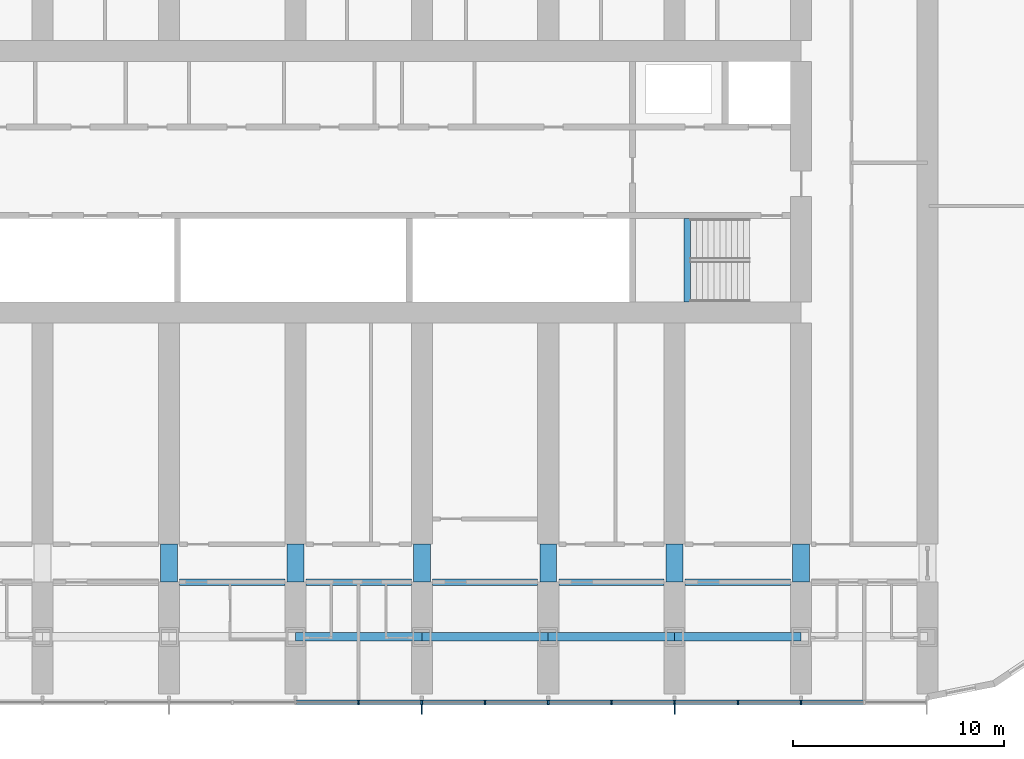
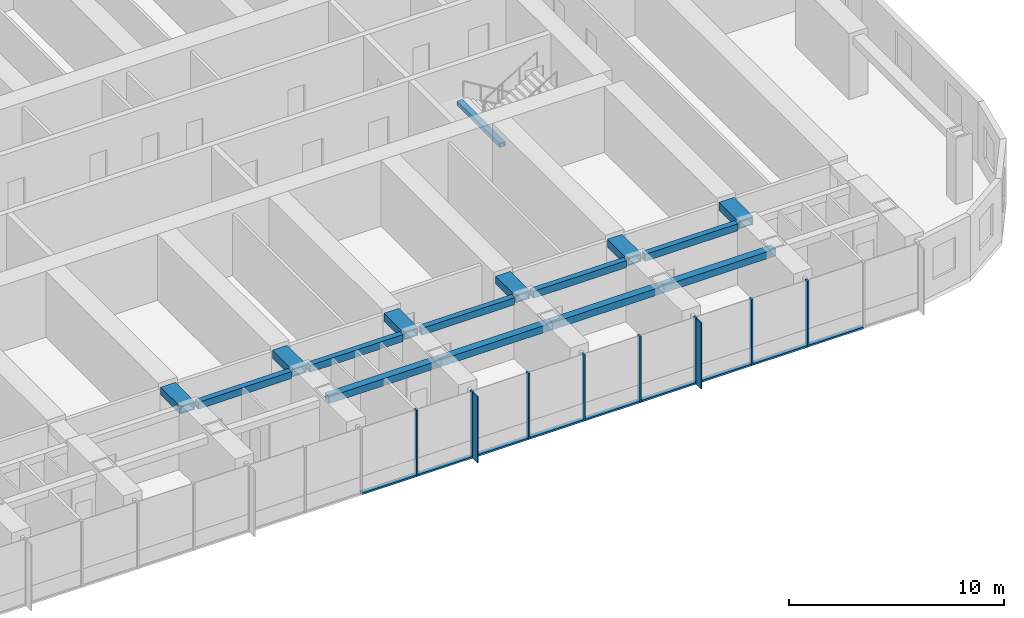
# One storey, part 3 of 23: 19 members, 16 beams, 1 element without a shape of its own.
"""IFC4 building model written with IfcOpenShell, lengths in metres."""

from ifc_helpers import new_model, si_unit, direction, frame, origin, origin_2d, place, context, subcontext, project, spatial, rectangle, hollow_rectangle, extrude, material, material_profile, profile_set, type_object, element, aggregate, save


model = new_model("IFC4")

# Units and contexts
model_context = context("Model", 3, precision=1e-05, world=origin(), true_north=direction((0.0, 1.0)))
body_context = subcontext(model_context, "Body", "Model", "MODEL_VIEW")
ifc_project = project(units=[si_unit("LENGTHUNIT", "METRE"), si_unit("AREAUNIT", "SQUARE_METRE"), si_unit("VOLUMEUNIT", "CUBIC_METRE"), si_unit("PLANEANGLEUNIT", "RADIAN"), si_unit("MASSUNIT", "GRAM", prefix="KILO")], contexts=[model_context])

# Site, building, storey
site_placement = place(None, origin())
site = spatial("IfcSite", under=ifc_project, at=site_placement, CompositionType="ELEMENT")
building_placement = place(site_placement, origin())
building = spatial("IfcBuilding", under=site, at=building_placement, Name="Orbita Commons", CompositionType="ELEMENT")
storey_placement = place(building_placement, frame((0.0, 0.0, 61.449951171875)))
storey = spatial("IfcBuildingStorey", under=building, at=storey_placement, Name="L15", CompositionType="ELEMENT", Elevation=61.449951171875)

# Curtain wall, members
ifc_material_1 = material(Name="Anodised aluminium frame, pale silver", Category="aluminium")
curtain_wall_type = type_object("IfcCurtainWallType", Name="Unitised curtain wall CW-T, vision and spandrel", PredefinedType="NOTDEFINED", material=ifc_material_1)
curtain_wall_placement = place(storey_placement, origin())
curtain_wall = element("IfcCurtainWall", 1, at=curtain_wall_placement, inside=storey, type_object=curtain_wall_type, Name="Curtain wall south L15", PredefinedType="NOTDEFINED")
ifc_material_2 = material(Name="Anodised aluminium, pale silver", Category="aluminium")
ifc_material_profile_1 = material_profile(ifc_material_2, rectangle(XDim=0.080078125, YDim=0.219970703125, at=origin_2d()), Name="AL 80x220")
ifc_profile_set_1 = profile_set([ifc_material_profile_1], Name="Anodised aluminium, pale silver")
member_type_1 = type_object("IfcMemberType", Name="Curtain wall mullion 80x220", PredefinedType="MULLION", material=ifc_profile_set_1)
member_1_placement = place(storey_placement, frame((45.0, 7.2900390625, -0.25), z_axis=(0.0, 0.0, 1.0), x_axis=(1.0, 0.0, 0.0)))
member_1 = element("IfcMember", 2, at=member_1_placement, type_object=member_type_1, Name="Mullion 12 CW-L15-S", PredefinedType="MULLION", context=body_context, shape_type="SweptSolid", body=[
    extrude(rectangle(XDim=0.080078125, YDim=0.219970703125, at=origin_2d()), origin(), (0.0, 0.0, 1.0), 3.75),
])
member_2_placement = place(storey_placement, frame((48.0, 7.2900390625, -0.25), z_axis=(0.0, 0.0, 1.0), x_axis=(1.0, 0.0, 0.0)))
member_2 = element("IfcMember", 3, at=member_2_placement, type_object=member_type_1, Name="Mullion 13 CW-L15-S", PredefinedType="MULLION", context=body_context, shape_type="SweptSolid", body=[
    extrude(rectangle(XDim=0.080078125, YDim=0.219970703125, at=origin_2d()), origin(), (0.0, 0.0, 1.0), 3.75),
])
member_3_placement = place(storey_placement, frame((51.0, 7.2900390625, -0.25), z_axis=(0.0, 0.0, 1.0), x_axis=(1.0, 0.0, 0.0)))
member_3 = element("IfcMember", 4, at=member_3_placement, type_object=member_type_1, Name="Mullion 14 CW-L15-S", PredefinedType="MULLION", context=body_context, shape_type="SweptSolid", body=[
    extrude(rectangle(XDim=0.080078125, YDim=0.219970703125, at=origin_2d()), origin(), (0.0, 0.0, 1.0), 3.75),
])
member_4_placement = place(storey_placement, frame((54.0, 7.2900390625, -0.25), z_axis=(0.0, 0.0, 1.0), x_axis=(1.0, 0.0, 0.0)))
member_4 = element("IfcMember", 5, at=member_4_placement, type_object=member_type_1, Name="Mullion 15 CW-L15-S", PredefinedType="MULLION", context=body_context, shape_type="SweptSolid", body=[
    extrude(rectangle(XDim=0.080078125, YDim=0.219970703125, at=origin_2d()), origin(), (0.0, 0.0, 1.0), 3.75),
])
member_5_placement = place(storey_placement, frame((57.0, 7.2900390625, -0.25), z_axis=(0.0, 0.0, 1.0), x_axis=(1.0, 0.0, 0.0)))
member_5 = element("IfcMember", 6, at=member_5_placement, type_object=member_type_1, Name="Mullion 16 CW-L15-S", PredefinedType="MULLION", context=body_context, shape_type="SweptSolid", body=[
    extrude(rectangle(XDim=0.080078125, YDim=0.219970703125, at=origin_2d()), origin(), (0.0, 0.0, 1.0), 3.75),
])
member_6_placement = place(storey_placement, frame((60.0, 7.2900390625, -0.25), z_axis=(0.0, 0.0, 1.0), x_axis=(1.0, 0.0, 0.0)))
member_6 = element("IfcMember", 7, at=member_6_placement, type_object=member_type_1, Name="Mullion 17 CW-L15-S", PredefinedType="MULLION", context=body_context, shape_type="SweptSolid", body=[
    extrude(rectangle(XDim=0.080078125, YDim=0.219970703125, at=origin_2d()), origin(), (0.0, 0.0, 1.0), 3.75),
])
member_7_placement = place(storey_placement, frame((63.0, 7.2900390625, -0.25), z_axis=(0.0, 0.0, 1.0), x_axis=(1.0, 0.0, 0.0)))
member_7 = element("IfcMember", 8, at=member_7_placement, type_object=member_type_1, Name="Mullion 18 CW-L15-S", PredefinedType="MULLION", context=body_context, shape_type="SweptSolid", body=[
    extrude(rectangle(XDim=0.080078125, YDim=0.219970703125, at=origin_2d()), origin(), (0.0, 0.0, 1.0), 3.75),
])
member_8_placement = place(storey_placement, frame((66.0, 7.2900390625, -0.25), z_axis=(0.0, 0.0, 1.0), x_axis=(1.0, 0.0, 0.0)))
member_8 = element("IfcMember", 9, at=member_8_placement, type_object=member_type_1, Name="Mullion 19 CW-L15-S", PredefinedType="MULLION", context=body_context, shape_type="SweptSolid", body=[
    extrude(rectangle(XDim=0.080078125, YDim=0.219970703125, at=origin_2d()), origin(), (0.0, 0.0, 1.0), 3.75),
])
ifc_material_3 = material(Name="Anodised aluminium, pale silver", Category="aluminium")
ifc_material_profile_2 = material_profile(ifc_material_3, rectangle(XDim=0.219970703125, YDim=0.10009765625, at=origin_2d()), Name="AL 220x100")
ifc_profile_set_2 = profile_set([ifc_material_profile_2], Name="Anodised aluminium, pale silver")
member_type_2 = type_object("IfcMemberType", Name="Curtain wall stack transom 220x100", PredefinedType="USERDEFINED", material=ifc_profile_set_2)
member_9_placement = place(storey_placement, frame((42.0400390625, 7.2900390625, -0.199951171875), z_axis=(1.0, 0.0, 0.0), x_axis=(0.0, 1.0, 0.0)))
member_9 = element("IfcMember", 10, at=member_9_placement, type_object=member_type_2, Name="Transom 11.1 CW-L15-S", ObjectType="TRANSOM", PredefinedType="USERDEFINED", context=body_context, shape_type="SweptSolid", body=[
    extrude(rectangle(XDim=0.219970703125, YDim=0.10009765625, at=origin_2d()), origin(), (0.0, 0.0, 1.0), 2.919921875),
])
member_10_placement = place(storey_placement, frame((45.0400390625, 7.2900390625, -0.199951171875), z_axis=(1.0, 0.0, 0.0), x_axis=(0.0, 1.0, 0.0)))
member_10 = element("IfcMember", 11, at=member_10_placement, type_object=member_type_2, Name="Transom 12.1 CW-L15-S", ObjectType="TRANSOM", PredefinedType="USERDEFINED", context=body_context, shape_type="SweptSolid", body=[
    extrude(rectangle(XDim=0.219970703125, YDim=0.10009765625, at=origin_2d()), origin(), (0.0, 0.0, 1.0), 2.919921875),
])
member_11_placement = place(storey_placement, frame((48.0400390625, 7.2900390625, -0.199951171875), z_axis=(1.0, 0.0, 0.0), x_axis=(0.0, 1.0, 0.0)))
member_11 = element("IfcMember", 12, at=member_11_placement, type_object=member_type_2, Name="Transom 13.1 CW-L15-S", ObjectType="TRANSOM", PredefinedType="USERDEFINED", context=body_context, shape_type="SweptSolid", body=[
    extrude(rectangle(XDim=0.219970703125, YDim=0.10009765625, at=origin_2d()), origin(), (0.0, 0.0, 1.0), 2.919921875),
])
member_12_placement = place(storey_placement, frame((51.0400390625, 7.2900390625, -0.199951171875), z_axis=(1.0, 0.0, 0.0), x_axis=(0.0, 1.0, 0.0)))
member_12 = element("IfcMember", 13, at=member_12_placement, type_object=member_type_2, Name="Transom 14.1 CW-L15-S", ObjectType="TRANSOM", PredefinedType="USERDEFINED", context=body_context, shape_type="SweptSolid", body=[
    extrude(rectangle(XDim=0.219970703125, YDim=0.10009765625, at=origin_2d()), origin(), (0.0, 0.0, 1.0), 2.919921875),
])
member_13_placement = place(storey_placement, frame((54.0400390625, 7.2900390625, -0.199951171875), z_axis=(1.0, 0.0, 0.0), x_axis=(0.0, 1.0, 0.0)))
member_13 = element("IfcMember", 14, at=member_13_placement, type_object=member_type_2, Name="Transom 15.1 CW-L15-S", ObjectType="TRANSOM", PredefinedType="USERDEFINED", context=body_context, shape_type="SweptSolid", body=[
    extrude(rectangle(XDim=0.219970703125, YDim=0.10009765625, at=origin_2d()), origin(), (0.0, 0.0, 1.0), 2.919921875),
])
member_14_placement = place(storey_placement, frame((57.0400390625, 7.2900390625, -0.199951171875), z_axis=(1.0, 0.0, 0.0), x_axis=(0.0, 1.0, 0.0)))
member_14 = element("IfcMember", 15, at=member_14_placement, type_object=member_type_2, Name="Transom 16.1 CW-L15-S", ObjectType="TRANSOM", PredefinedType="USERDEFINED", context=body_context, shape_type="SweptSolid", body=[
    extrude(rectangle(XDim=0.219970703125, YDim=0.10009765625, at=origin_2d()), origin(), (0.0, 0.0, 1.0), 2.919921875),
])
member_15_placement = place(storey_placement, frame((60.0400390625, 7.2900390625, -0.199951171875), z_axis=(1.0, 0.0, 0.0), x_axis=(0.0, 1.0, 0.0)))
member_15 = element("IfcMember", 16, at=member_15_placement, type_object=member_type_2, Name="Transom 17.1 CW-L15-S", ObjectType="TRANSOM", PredefinedType="USERDEFINED", context=body_context, shape_type="SweptSolid", body=[
    extrude(rectangle(XDim=0.219970703125, YDim=0.10009765625, at=origin_2d()), origin(), (0.0, 0.0, 1.0), 2.919921875),
])
member_16_placement = place(storey_placement, frame((63.0400390625, 7.2900390625, -0.199951171875), z_axis=(1.0, 0.0, 0.0), x_axis=(0.0, 1.0, 0.0)))
member_16 = element("IfcMember", 17, at=member_16_placement, type_object=member_type_2, Name="Transom 18.1 CW-L15-S", ObjectType="TRANSOM", PredefinedType="USERDEFINED", context=body_context, shape_type="SweptSolid", body=[
    extrude(rectangle(XDim=0.219970703125, YDim=0.10009765625, at=origin_2d()), origin(), (0.0, 0.0, 1.0), 2.919921875),
])
member_17_placement = place(storey_placement, frame((66.0400390625, 7.2900390625, -0.199951171875), z_axis=(1.0, 0.0, 0.0), x_axis=(0.0, 1.0, 0.0)))
member_17 = element("IfcMember", 18, at=member_17_placement, type_object=member_type_2, Name="Transom 19.1 CW-L15-S", ObjectType="TRANSOM", PredefinedType="USERDEFINED", context=body_context, shape_type="SweptSolid", body=[
    extrude(rectangle(XDim=0.219970703125, YDim=0.10009765625, at=origin_2d()), origin(), (0.0, 0.0, 1.0), 2.919921875),
])

# Beams
ifc_material_4 = material(Name="Steel ASTM A572 Gr 50 welded plate", Category="steel")
ifc_material_profile_3 = material_profile(ifc_material_4, hollow_rectangle(XDim=0.300048828125, YDim=0.25, WallThickness=0.02490234375, at=origin_2d()), Name="BOX 250x300x25")
ifc_profile_set_3 = profile_set([ifc_material_profile_3], Name="Steel ASTM A572 Gr 50 welded plate")
beam_type_1 = type_object("IfcBeamType", Name="Stair landing beam steel BOX 250x300x25", PredefinedType="BEAM", material=ifc_profile_set_3)
beam_placement = place(storey_placement, frame((60.60009765625, 26.284912109375, 1.550048828125), z_axis=(0.0, 1.0, 0.0), x_axis=(-1.0, 0.0, 0.0)))
element("IfcBeam", 19, at=beam_placement, inside=storey, type_object=beam_type_1, Name="Stair S2 landing beam L15 1", PredefinedType="BEAM", context=body_context, shape_type="SweptSolid", body=[
    extrude(hollow_rectangle(XDim=0.300048828125, YDim=0.25, WallThickness=0.02490234375, at=origin_2d()), origin(), (0.0, 0.0, 1.0), 3.97998046875),
])
ifc_material_5 = material(Name="Steel ASTM A572 Gr 50 welded plate", Category="steel")
ifc_material_profile_4 = material_profile(ifc_material_5, hollow_rectangle(XDim=0.300048828125, YDim=0.39990234375, WallThickness=0.0400390625, at=origin_2d()), Name="BOX 400x300x40")
ifc_profile_set_4 = profile_set([ifc_material_profile_4], Name="Steel ASTM A572 Gr 50 welded plate")
beam_type_2 = type_object("IfcBeamType", Name="Steel corridor link BOX 400x300x40", PredefinedType="BEAM", material=ifc_profile_set_4)
for number, where, z_axis, x_axis, name in (
    (20, (36.5, 13.0, 3.300048828125), (1.0, 0.0, 0.0), (0.0, 1.0, 0.0), "Corridor beam SA 7-8 L15"),
    (21, (42.5, 13.0, 3.300048828125), (1.0, 0.0, 0.0), (0.0, 1.0, 0.0), "Corridor beam SA 8-9 L15"),
    (22, (48.5, 13.0, 3.300048828125), (1.0, 0.0, 0.0), (0.0, 1.0, 0.0), "Corridor beam SA 9-10 L15"),
    (23, (54.5, 13.0, 3.300048828125), (1.0, 0.0, 0.0), (0.0, 1.0, 0.0), "Corridor beam SA 10-11 L15"),
    (24, (60.5, 13.0, 3.300048828125), (1.0, 0.0, 0.0), (0.0, 1.0, 0.0), "Corridor beam SA 11-12 L15"),
):
    element("IfcBeam", number, at=place(storey_placement, frame(where, z_axis=z_axis, x_axis=x_axis)), inside=storey, type_object=beam_type_2, Name=name, PredefinedType="BEAM", context=body_context, shape_type="SweptSolid", body=[
        extrude(hollow_rectangle(XDim=0.300048828125, YDim=0.39990234375, WallThickness=0.0400390625, at=origin_2d()), origin(), (0.0, 0.0, 1.0), 5.0),
    ])
ifc_material_6 = material(Name="Steel ASTM A572 Gr 50 welded plate", Category="steel")
ifc_material_profile_5 = material_profile(ifc_material_6, hollow_rectangle(XDim=0.800048828125, YDim=0.449951171875, WallThickness=0.06005859375, at=origin_2d()), Name="BOX 450x800x60")
ifc_profile_set_5 = profile_set([ifc_material_profile_5], Name="Steel ASTM A572 Gr 50 welded plate")
beam_type_3 = type_object("IfcBeamType", Name="Steel coupling link BOX 450x800x60", PredefinedType="LINTEL", material=ifc_profile_set_5)
for number, where, z_axis, x_axis, name in (
    (25, (36.0, 13.0, 3.275146484375), (0.0, 1.0, 0.0), (-1.0, 0.0, 0.0), "Coupling beam 7 south L15"),
    (26, (42.0, 13.0, 3.275146484375), (0.0, 1.0, 0.0), (-1.0, 0.0, 0.0), "Coupling beam 8 south L15"),
    (27, (48.0, 13.0, 3.275146484375), (0.0, 1.0, 0.0), (-1.0, 0.0, 0.0), "Coupling beam 9 south L15"),
    (28, (54.0, 13.0, 3.275146484375), (0.0, 1.0, 0.0), (-1.0, 0.0, 0.0), "Coupling beam 10 south L15"),
    (29, (60.0, 13.0, 3.275146484375), (0.0, 1.0, 0.0), (-1.0, 0.0, 0.0), "Coupling beam 11 south L15"),
    (30, (66.0, 13.0, 3.275146484375), (0.0, 1.0, 0.0), (-1.0, 0.0, 0.0), "Coupling beam 12 south L15"),
):
    element("IfcBeam", number, at=place(storey_placement, frame(where, z_axis=z_axis, x_axis=x_axis)), inside=storey, type_object=beam_type_3, Name=name, PredefinedType="LINTEL", context=body_context, shape_type="SweptSolid", body=[
        extrude(hollow_rectangle(XDim=0.800048828125, YDim=0.449951171875, WallThickness=0.06005859375, at=origin_2d()), origin(), (0.0, 0.0, 1.0), 1.800048828125),
    ])
ifc_material_7 = material(Name="Steel ASTM A572 Gr 50 welded plate", Category="steel")
ifc_material_profile_6 = material_profile(ifc_material_7, hollow_rectangle(XDim=0.39990234375, YDim=0.39990234375, WallThickness=0.0400390625, at=origin_2d()), Name="BOX 400x400x40")
ifc_profile_set_6 = profile_set([ifc_material_profile_6], Name="Steel ASTM A572 Gr 50 welded plate")
beam_type_4 = type_object("IfcBeamType", Name="Steel spandrel BOX 400x400x40", PredefinedType="SPANDREL", material=ifc_profile_set_6)
for number, where, z_axis, x_axis, name in (
    (31, (42.0, 10.39990234375, 3.300048828125), (1.0, 0.0, 0.0), (0.0, 1.0, 0.0), "Spandrel beam B 8-9 L15"),
    (32, (48.0, 10.39990234375, 3.300048828125), (1.0, 0.0, 0.0), (0.0, 1.0, 0.0), "Spandrel beam B 9-10 L15"),
    (33, (54.0, 10.39990234375, 3.300048828125), (1.0, 0.0, 0.0), (0.0, 1.0, 0.0), "Spandrel beam B 10-11 L15"),
    (34, (60.0, 10.39990234375, 3.300048828125), (1.0, 0.0, 0.0), (0.0, 1.0, 0.0), "Spandrel beam B 11-12 L15"),
):
    element("IfcBeam", number, at=place(storey_placement, frame(where, z_axis=z_axis, x_axis=x_axis)), inside=storey, type_object=beam_type_4, Name=name, PredefinedType="SPANDREL", context=body_context, shape_type="SweptSolid", body=[
        extrude(hollow_rectangle(XDim=0.39990234375, YDim=0.39990234375, WallThickness=0.0400390625, at=origin_2d()), origin(), (0.0, 0.0, 1.0), 6.0),
    ])

# Member
ifc_material_8 = material(Name="Anodised aluminium, pale silver", Category="aluminium")
ifc_material_profile_7 = material_profile(ifc_material_8, rectangle(XDim=0.06005859375, YDim=0.449951171875, at=origin_2d()), Name="FIN 60x450")
ifc_profile_set_7 = profile_set([ifc_material_profile_7], Name="Anodised aluminium, pale silver")
member_type_3 = type_object("IfcMemberType", Name="Vertical fin 60x450 pale aluminium", PredefinedType="USERDEFINED", material=ifc_profile_set_7)
member_18_placement = place(storey_placement, frame((48.0, 6.955078125, -0.25), z_axis=(0.0, 0.0, 1.0), x_axis=(1.0, 0.0, 0.0)))
member_18 = element("IfcMember", 35, at=member_18_placement, type_object=member_type_3, Name="Fin 13 CW-L15-S", ObjectType="FIN", PredefinedType="USERDEFINED", context=body_context, shape_type="SweptSolid", body=[
    extrude(rectangle(XDim=0.06005859375, YDim=0.449951171875, at=origin_2d()), origin(), (0.0, 0.0, 1.0), 3.75),
])

member_19_placement = place(storey_placement, frame((60.0, 6.955078125, -0.25), z_axis=(0.0, 0.0, 1.0), x_axis=(1.0, 0.0, 0.0)))
member_19 = element("IfcMember", 36, at=member_19_placement, type_object=member_type_3, Name="Fin 17 CW-L15-S", ObjectType="FIN", PredefinedType="USERDEFINED", context=body_context, shape_type="SweptSolid", body=[
    extrude(rectangle(XDim=0.06005859375, YDim=0.449951171875, at=origin_2d()), origin(), (0.0, 0.0, 1.0), 3.75),
])

aggregate(curtain_wall, [member_1, member_2, member_18, member_3, member_4, member_5, member_6, member_19, member_7, member_8, member_9, member_10, member_11, member_12, member_13, member_14, member_15, member_16, member_17])

save(model, "model.ifc")
